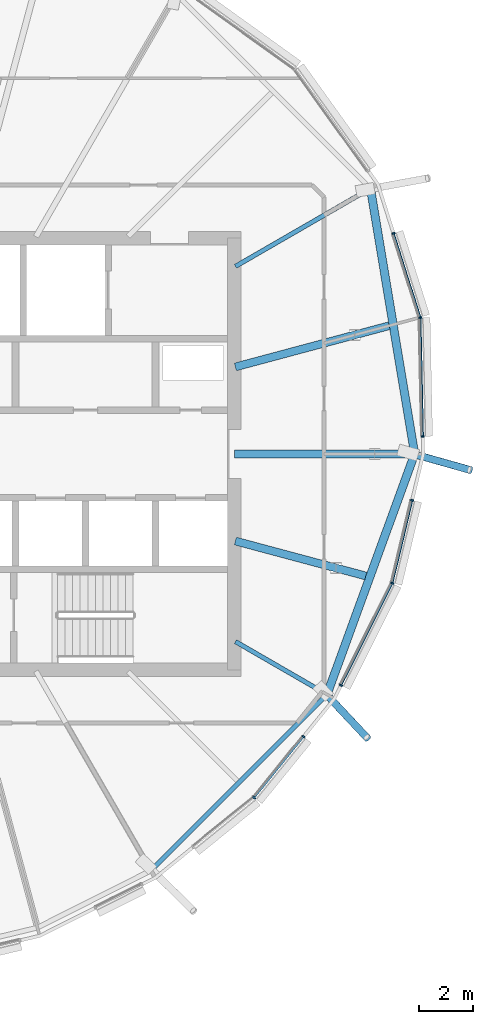
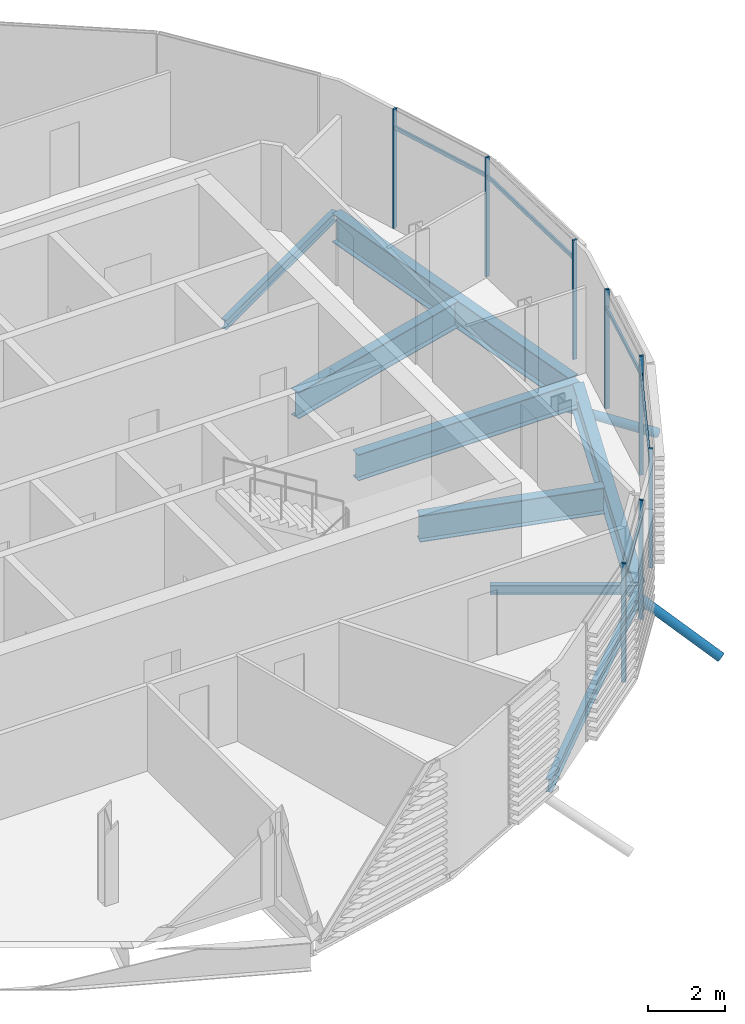
# One storey, part 13 of 36: 15 members, 8 beams, 1 element without a shape of its own.
"""IFC4 building model written with IfcOpenShell, lengths in metres."""

from ifc_helpers import new_model, si_unit, direction, frame, origin, origin_2d, place, context, subcontext, project, spatial, rectangle, hollow_circle, i_section, extrude, clip, halfspace, material, material_profile, profile_set, type_object, element, aggregate, save


model = new_model("IFC4")

# Units and contexts
model_context = context("Model", 3, precision=1e-05, world=origin(), true_north=direction((0.0, 1.0)))
body_context = subcontext(model_context, "Body", "Model", "MODEL_VIEW")
ifc_project = project(units=[si_unit("LENGTHUNIT", "METRE"), si_unit("AREAUNIT", "SQUARE_METRE"), si_unit("VOLUMEUNIT", "CUBIC_METRE"), si_unit("PLANEANGLEUNIT", "RADIAN"), si_unit("MASSUNIT", "GRAM", prefix="KILO")], contexts=[model_context])

# Site, building, storey
site_placement = place(None, origin())
site = spatial("IfcSite", under=ifc_project, at=site_placement, CompositionType="ELEMENT")
building_placement = place(site_placement, origin())
building = spatial("IfcBuilding", under=site, at=building_placement, Name="Rimbun Link Towers", CompositionType="ELEMENT")
storey_placement = place(building_placement, frame((0.0, 0.0, 248.5)))
storey = spatial("IfcBuildingStorey", under=building, at=storey_placement, Name="L61", CompositionType="ELEMENT", Elevation=248.5)

# Curtain wall, members
ifc_material_1 = material(Name="Aluminium 6063-T6 and low-iron glass", Category="aluminium")
curtain_wall_type = type_object("IfcCurtainWallType", Name="CW1-Z4 unitised vision wall (zone 4)", PredefinedType="NOTDEFINED", material=ifc_material_1)
curtain_wall_placement = place(storey_placement, origin())
curtain_wall = element("IfcCurtainWall", 1, at=curtain_wall_placement, inside=storey, type_object=curtain_wall_type, Name="CW1 L61 T2", PredefinedType="NOTDEFINED")
ifc_material_2 = material(Name="Aluminium 6063-T6", Category="aluminium")
ifc_material_profile_1 = material_profile(ifc_material_2, rectangle(XDim=0.1201171875, YDim=0.06005859375, at=origin_2d()), Name="MULLION 60X120")
ifc_profile_set_1 = profile_set([ifc_material_profile_1], Name="Aluminium 6063-T6")
member_type_1 = type_object("IfcMemberType", Name="CW1 mullion 60X120", PredefinedType="MULLION", material=ifc_profile_set_1)
member_1_placement = place(storey_placement, frame((44.4873046875, -12.7373046875, 0.0), z_axis=(0.0, 0.0, 1.0), x_axis=(0.707106781187, -0.707106781187, 0.0)))
member_1 = element("IfcMember", 2, at=member_1_placement, type_object=member_type_1, Name="CW1 mullion", PredefinedType="MULLION", context=body_context, shape_type="SweptSolid", body=[
    extrude(rectangle(XDim=0.1201171875, YDim=0.06005859375, at=origin_2d()), origin(), (0.0, 0.0, 1.0), 3.800048828125),
])
member_2_placement = place(storey_placement, frame((46.31884765625, -10.47509765625, 0.0), z_axis=(0.0, 0.0, 1.0), x_axis=(0.777276551105, -0.629159092045, 0.0)))
member_2 = element("IfcMember", 3, at=member_2_placement, type_object=member_type_1, Name="CW1 mullion", PredefinedType="MULLION", context=body_context, shape_type="SweptSolid", body=[
    extrude(rectangle(XDim=0.1201171875, YDim=0.06005859375, at=origin_2d()), origin(), (0.0, 0.0, 1.0), 3.800048828125),
])
member_3_placement = place(storey_placement, frame((49.60498046875, -4.789794921875, 0.0), z_axis=(0.0, 0.0, 1.0), x_axis=(0.939348063646, -0.342965326709, 0.0)))
member_3 = element("IfcMember", 4, at=member_3_placement, type_object=member_type_1, Name="CW1 mullion", PredefinedType="MULLION", context=body_context, shape_type="SweptSolid", body=[
    extrude(rectangle(XDim=0.1201171875, YDim=0.06005859375, at=origin_2d()), origin(), (0.0, 0.0, 1.0), 3.800048828125),
])
member_4_placement = place(storey_placement, frame((47.705078125, -8.57373046875, 0.0), z_axis=(0.0, 0.0, 1.0), x_axis=(0.893647148893, -0.4487702901, 0.0)))
member_4 = element("IfcMember", 5, at=member_4_placement, type_object=member_type_1, Name="CW1 mullion", PredefinedType="MULLION", context=body_context, shape_type="SweptSolid", body=[
    extrude(rectangle(XDim=0.1201171875, YDim=0.06005859375, at=origin_2d()), origin(), (0.0, 0.0, 1.0), 3.800048828125),
])
member_5_placement = place(storey_placement, frame((50.340576171875, -1.716064453125, 0.0), z_axis=(0.0, 0.0, 1.0), x_axis=(0.972571370192, -0.232604664363, 0.0)))
member_5 = element("IfcMember", 6, at=member_5_placement, type_object=member_type_1, Name="CW1 mullion", PredefinedType="MULLION", context=body_context, shape_type="SweptSolid", body=[
    extrude(rectangle(XDim=0.1201171875, YDim=0.06005859375, at=origin_2d()), origin(), (0.0, 0.0, 1.0), 3.800048828125),
])
member_6_placement = place(storey_placement, frame((50.64208984375, 5.05615234375, 0.0), z_axis=(0.0, 0.0, 1.0), x_axis=(0.986503194566, 0.163742013886, 0.0)))
member_6 = element("IfcMember", 7, at=member_6_placement, type_object=member_type_1, Name="CW1 mullion", PredefinedType="MULLION", context=body_context, shape_type="SweptSolid", body=[
    extrude(rectangle(XDim=0.1201171875, YDim=0.06005859375, at=origin_2d()), origin(), (0.0, 0.0, 1.0), 3.800048828125),
])
member_7_placement = place(storey_placement, frame((50.735595703125, 0.651123046875, 0.0), z_axis=(0.0, 0.0, 1.0), x_axis=(0.999778207989, 0.021060266635, 0.0)))
member_7 = element("IfcMember", 8, at=member_7_placement, type_object=member_type_1, Name="CW1 mullion", PredefinedType="MULLION", context=body_context, shape_type="SweptSolid", body=[
    extrude(rectangle(XDim=0.1201171875, YDim=0.06005859375, at=origin_2d()), origin(), (0.0, 0.0, 1.0), 3.800048828125),
])
member_8_placement = place(storey_placement, frame((49.650390625, 8.1767578125, 0.0), z_axis=(0.0, 0.0, 1.0), x_axis=(0.952971021704, 0.303061432375, 0.0)))
member_8 = element("IfcMember", 9, at=member_8_placement, type_object=member_type_1, Name="CW1 mullion", PredefinedType="MULLION", context=body_context, shape_type="SweptSolid", body=[
    extrude(rectangle(XDim=0.1201171875, YDim=0.06005859375, at=origin_2d()), origin(), (0.0, 0.0, 1.0), 3.800048828125),
])
ifc_material_3 = material(Name="Aluminium 6063-T6", Category="aluminium")
ifc_material_profile_2 = material_profile(ifc_material_3, rectangle(XDim=0.06005859375, YDim=0.1201171875, at=origin_2d()), Name="TRANSOM 60X120")
ifc_profile_set_2 = profile_set([ifc_material_profile_2], Name="Aluminium 6063-T6")
member_type_2 = type_object("IfcMemberType", Name="CW1 transom 60X120", PredefinedType="USERDEFINED", material=ifc_profile_set_2)
member_9_placement = place(storey_placement, frame((46.29833984375, -10.497314453125, 3.199951171875), z_axis=(-0.629185882158, -0.777254865339, 0.0), x_axis=(0.777254865339, -0.629185882158, 0.0)))
member_9 = element("IfcMember", 10, at=member_9_placement, type_object=member_type_2, Name="CW1 transom", ObjectType="TRANSOM", PredefinedType="USERDEFINED", context=body_context, shape_type="SweptSolid", body=[
    extrude(rectangle(XDim=0.06005859375, YDim=0.1201171875, at=origin_2d()), origin(), (0.0, 0.0, 1.0), 2.84423828125),
])
member_10_placement = place(storey_placement, frame((49.5869140625, -4.822021484375, 3.199951171875), z_axis=(-0.448783061239, -0.893640735388, 0.0), x_axis=(0.893640735388, -0.448783061239, 0.0)))
member_10 = element("IfcMember", 11, at=member_10_placement, type_object=member_type_2, Name="CW1 transom", ObjectType="TRANSOM", PredefinedType="USERDEFINED", context=body_context, shape_type="SweptSolid", body=[
    extrude(rectangle(XDim=0.06005859375, YDim=0.1201171875, at=origin_2d()), origin(), (0.0, 0.0, 1.0), 4.1669921875),
])
member_11_placement = place(storey_placement, frame((50.33154296875, -1.74462890625, 3.199951171875), z_axis=(-0.232569967618, -0.972579667771, 0.0), x_axis=(0.972579667771, -0.232569967618, 0.0)))
member_11 = element("IfcMember", 12, at=member_11_placement, type_object=member_type_2, Name="CW1 transom", ObjectType="TRANSOM", PredefinedType="USERDEFINED", context=body_context, shape_type="SweptSolid", body=[
    extrude(rectangle(XDim=0.06005859375, YDim=0.1201171875, at=origin_2d()), origin(), (0.0, 0.0, 1.0), 3.093505859375),
])
member_12_placement = place(storey_placement, frame((50.6416015625, 5.017578125, 3.199951171875), z_axis=(0.02105152115, -0.999778392174, 0.0), x_axis=(0.999778392174, 0.02105152115, 0.0)))
member_12 = element("IfcMember", 13, at=member_12_placement, type_object=member_type_2, Name="CW1 transom", ObjectType="TRANSOM", PredefinedType="USERDEFINED", context=body_context, shape_type="SweptSolid", body=[
    extrude(rectangle(XDim=0.06005859375, YDim=0.1201171875, at=origin_2d()), origin(), (0.0, 0.0, 1.0), 4.33740234375),
])
member_13_placement = place(storey_placement, frame((49.657470703125, 8.147705078125, 3.199951171875), z_axis=(0.303084212278, -0.952963776997, 0.0), x_axis=(0.952963776997, 0.303084212278, 0.0)))
member_13 = element("IfcMember", 14, at=member_13_placement, type_object=member_type_2, Name="CW1 transom", ObjectType="TRANSOM", PredefinedType="USERDEFINED", context=body_context, shape_type="SweptSolid", body=[
    extrude(rectangle(XDim=0.06005859375, YDim=0.1201171875, at=origin_2d()), origin(), (0.0, 0.0, 1.0), 3.2060546875),
])
aggregate(curtain_wall, [member_1, member_2, member_3, member_4, member_5, member_6, member_7, member_8, member_9, member_10, member_11, member_12, member_13])

# Members
ifc_material_4 = material(Name="Steel S355J2H", Category="steel")
ifc_material_profile_3 = material_profile(ifc_material_4, hollow_circle(Radius=0.136474609375, WallThickness=0.012451171875, at=origin_2d()), Name="CHS 273x12.5")
ifc_profile_set_3 = profile_set([ifc_material_profile_3], Name="Steel S355J2H")
member_type_3 = type_object("IfcMemberType", Name="Floor edge link CHS 273x12.5", PredefinedType="BRACE", material=ifc_profile_set_3)
member_14_placement = place(storey_placement, frame((47.14208984375, -8.88671875, -0.5576171875), z_axis=(0.573930312999, -0.612186304552, -0.543904333812), x_axis=(0.729533843142, 0.683944713928, 0.0)))
element("IfcMember", 15, at=member_14_placement, inside=storey, type_object=member_type_3, Name="Floor edge link T2 L61 19", PredefinedType="BRACE", context=body_context, shape_type="Clipping", body=[
    clip(extrude(hollow_circle(Radius=0.136474609375, WallThickness=0.012451171875, at=origin_2d()), frame((0.0, 0.0, -0.439697265625)), (0.0, 0.0, 1.0), 3.13916015625), halfspace(frame((0.0, 0.0, -0.206298828125), z_axis=(0.0, 0.839147231217, -0.543904333812)), False)),
])
member_15_placement = place(storey_placement, frame((50.382080078125, 0.0, -1.101806640625), z_axis=(0.85784835179, -0.241371405147, -0.453691580381), x_axis=(0.270851181403, 0.962621232642, 0.0)))
element("IfcMember", 16, at=member_15_placement, inside=storey, type_object=member_type_3, Name="Floor edge link T2 L61 21", PredefinedType="BRACE", context=body_context, shape_type="Clipping", body=[
    clip(extrude(hollow_circle(Radius=0.136474609375, WallThickness=0.012451171875, at=origin_2d()), frame((0.0, 0.0, -0.558349609375)), (0.0, 0.0, 1.0), 3.037353515625), halfspace(frame((0.0, 0.0, -0.262451171875), z_axis=(0.0, 0.891158768061, -0.453691580381)), False)),
])

# Beams
ifc_material_5 = material(Name="Steel S355J2", Category="steel")
ifc_material_profile_4 = material_profile(ifc_material_5, i_section(OverallWidth=0.1650390625, OverallDepth=0.303466796875, WebThickness=0.006103515625, FlangeThickness=0.01025390625, at=origin_2d()), Name="UB 305x165x40")
ifc_profile_set_4 = profile_set([ifc_material_profile_4], Name="Steel S355J2")
beam_type_1 = type_object("IfcBeamType", Name="UB 305x165x40", PredefinedType="BEAM", material=ifc_profile_set_4)
beam_1_placement = place(storey_placement, frame((43.7919921875, -6.952392578125, -0.291748046875), z_axis=(0.866029956157, -0.499992114976, 0.0), x_axis=(0.499992114976, 0.866029956157, 0.0)))
element("IfcBeam", 17, at=beam_1_placement, inside=storey, type_object=beam_type_1, Name="Radial beam T2 L61 19", PredefinedType="BEAM", context=body_context, shape_type="SweptSolid", body=[
    extrude(i_section(OverallWidth=0.1650390625, OverallDepth=0.303466796875, WebThickness=0.006103515625, FlangeThickness=0.01025390625, at=origin_2d()), origin(), (0.0, 0.0, 1.0), 3.91845703125),
])
beam_2_placement = place(storey_placement, frame((43.7919921875, 6.952392578125, -0.291748046875), z_axis=(0.866021630302, 0.500006535807, 0.0), x_axis=(-0.500006535807, 0.866021630302, 0.0)))
element("IfcBeam", 18, at=beam_2_placement, inside=storey, type_object=beam_type_1, Name="Radial beam T2 L61 23", PredefinedType="BEAM", context=body_context, shape_type="SweptSolid", body=[
    extrude(i_section(OverallWidth=0.1650390625, OverallDepth=0.303466796875, WebThickness=0.006103515625, FlangeThickness=0.01025390625, at=origin_2d()), origin(), (0.0, 0.0, 1.0), 5.77783203125),
])
ifc_material_6 = material(Name="Steel S355J2", Category="steel")
ifc_material_profile_5 = material_profile(ifc_material_6, i_section(OverallWidth=0.177978515625, OverallDepth=0.406494140625, WebThickness=0.0078125, FlangeThickness=0.0126953125, at=origin_2d()), Name="UB 406x178x60")
ifc_profile_set_5 = profile_set([ifc_material_profile_5], Name="Steel S355J2")
beam_type_2 = type_object("IfcBeamType", Name="UB 406x178x60", PredefinedType="BEAM", material=ifc_profile_set_5)
beam_3_placement = place(storey_placement, frame((40.662353515625, -15.434814453125, -0.34326171875), z_axis=(0.707120138576, 0.707093423545, 0.0), x_axis=(-0.707093423545, 0.707120138576, 0.0)))
element("IfcBeam", 19, at=beam_3_placement, inside=storey, type_object=beam_type_2, Name="Edge beam T2 L61 17-19", PredefinedType="BEAM", context=body_context, shape_type="SweptSolid", body=[
    extrude(i_section(OverallWidth=0.177978515625, OverallDepth=0.406494140625, WebThickness=0.0078125, FlangeThickness=0.0126953125, at=origin_2d()), origin(), (0.0, 0.0, 1.0), 9.138671875),
])
ifc_material_7 = material(Name="Steel S355J2", Category="steel")
ifc_material_profile_6 = material_profile(ifc_material_7, i_section(OverallWidth=0.29248046875, OverallDepth=0.8408203125, WebThickness=0.0126953125, FlangeThickness=0.021728515625, at=origin_2d()), Name="UB 838x292x194")
ifc_profile_set_6 = profile_set([ifc_material_profile_6], Name="Steel S355J2")
beam_type_3 = type_object("IfcBeamType", Name="UB 838x292x194", PredefinedType="BEAM", material=ifc_profile_set_6)
beam_4_placement = place(storey_placement, frame((43.788818359375, -3.225830078125, -0.560302734375), z_axis=(0.965926488261, -0.258816574576, 0.0), x_axis=(0.258816574576, 0.965926488261, 0.0)))
element("IfcBeam", 20, at=beam_4_placement, inside=storey, type_object=beam_type_3, Name="Radial beam T2 L61 20", PredefinedType="BEAM", context=body_context, shape_type="SweptSolid", body=[
    extrude(i_section(OverallWidth=0.29248046875, OverallDepth=0.8408203125, WebThickness=0.0126953125, FlangeThickness=0.021728515625, at=origin_2d()), origin(), (0.0, 0.0, 1.0), 5.003173828125),
])
beam_5_placement = place(storey_placement, frame((43.7509765625, 0.0, -0.560302734375), z_axis=(1.0, 0.0, 0.0), x_axis=(0.0, 1.0, 0.0)))
element("IfcBeam", 21, at=beam_5_placement, inside=storey, type_object=beam_type_3, Name="Radial beam T2 L61 21", PredefinedType="BEAM", context=body_context, shape_type="SweptSolid", body=[
    extrude(i_section(OverallWidth=0.29248046875, OverallDepth=0.8408203125, WebThickness=0.0126953125, FlangeThickness=0.021728515625, at=origin_2d()), origin(), (0.0, 0.0, 1.0), 6.68115234375),
])
beam_6_placement = place(storey_placement, frame((43.788818359375, 3.225830078125, -0.560302734375), z_axis=(0.965924401919, 0.258824360867, 0.0), x_axis=(-0.258824360867, 0.965924401919, 0.0)))
element("IfcBeam", 22, at=beam_6_placement, inside=storey, type_object=beam_type_3, Name="Radial beam T2 L61 22", PredefinedType="BEAM", context=body_context, shape_type="SweptSolid", body=[
    extrude(i_section(OverallWidth=0.29248046875, OverallDepth=0.8408203125, WebThickness=0.0126953125, FlangeThickness=0.021728515625, at=origin_2d()), origin(), (0.0, 0.0, 1.0), 5.898193359375),
])
ifc_material_8 = material(Name="Steel S355J2", Category="steel")
ifc_material_profile_7 = material_profile(ifc_material_8, i_section(OverallWidth=0.305419921875, OverallDepth=0.91845703125, WebThickness=0.017333984375, FlangeThickness=0.02783203125, at=origin_2d()), Name="UB 914x305x253")
ifc_profile_set_7 = profile_set([ifc_material_profile_7], Name="Steel S355J2")
beam_type_4 = type_object("IfcBeamType", Name="UB 914x305x253", PredefinedType="BEAM", material=ifc_profile_set_7)
beam_7_placement = place(storey_placement, frame((47.214599609375, -8.83203125, -0.59912109375), z_axis=(0.342288041979, 0.939595070399, 0.0), x_axis=(-0.939595070399, 0.342288041979, 0.0)))
element("IfcBeam", 23, at=beam_7_placement, inside=storey, type_object=beam_type_4, Name="Edge beam T2 L61 19-21", PredefinedType="BEAM", context=body_context, shape_type="SweptSolid", body=[
    extrude(i_section(OverallWidth=0.305419921875, OverallDepth=0.91845703125, WebThickness=0.017333984375, FlangeThickness=0.02783203125, at=origin_2d()), origin(), (0.0, 0.0, 1.0), 9.2431640625),
])
beam_8_placement = place(storey_placement, frame((50.40771484375, 0.147216796875, -0.59912109375), z_axis=(-0.16403714604, 0.986454162503, 0.0), x_axis=(-0.986454162503, -0.16403714604, 0.0)))
element("IfcBeam", 24, at=beam_8_placement, inside=storey, type_object=beam_type_4, Name="Edge beam T2 L61 21-23", PredefinedType="BEAM", context=body_context, shape_type="SweptSolid", body=[
    extrude(i_section(OverallWidth=0.305419921875, OverallDepth=0.91845703125, WebThickness=0.017333984375, FlangeThickness=0.02783203125, at=origin_2d()), origin(), (0.0, 0.0, 1.0), 9.738037109375),
])

save(model, "model.ifc")
